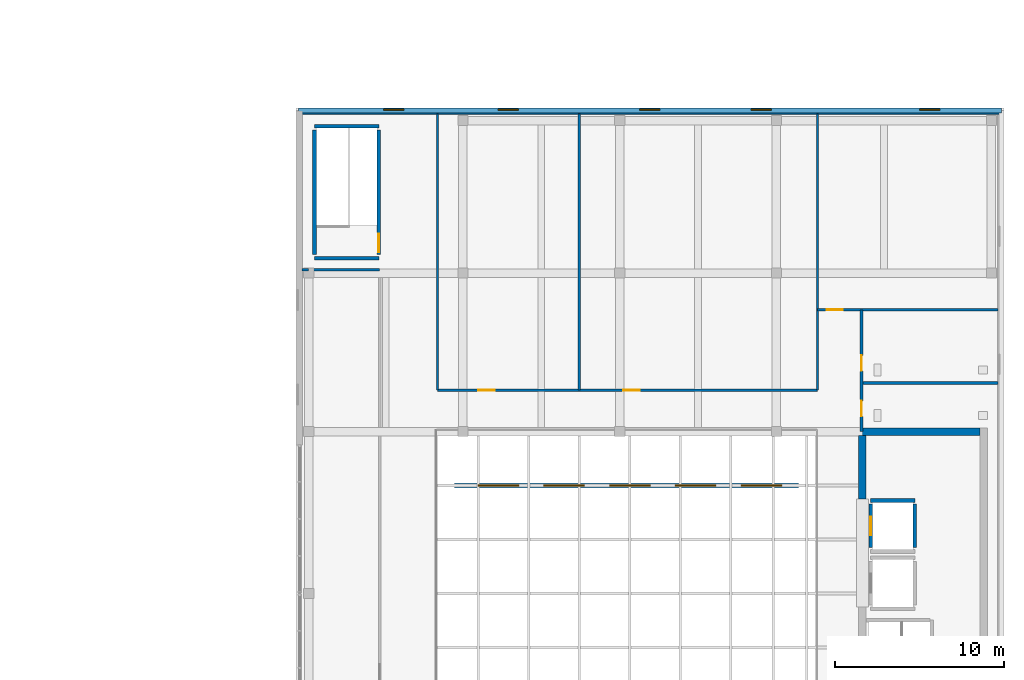
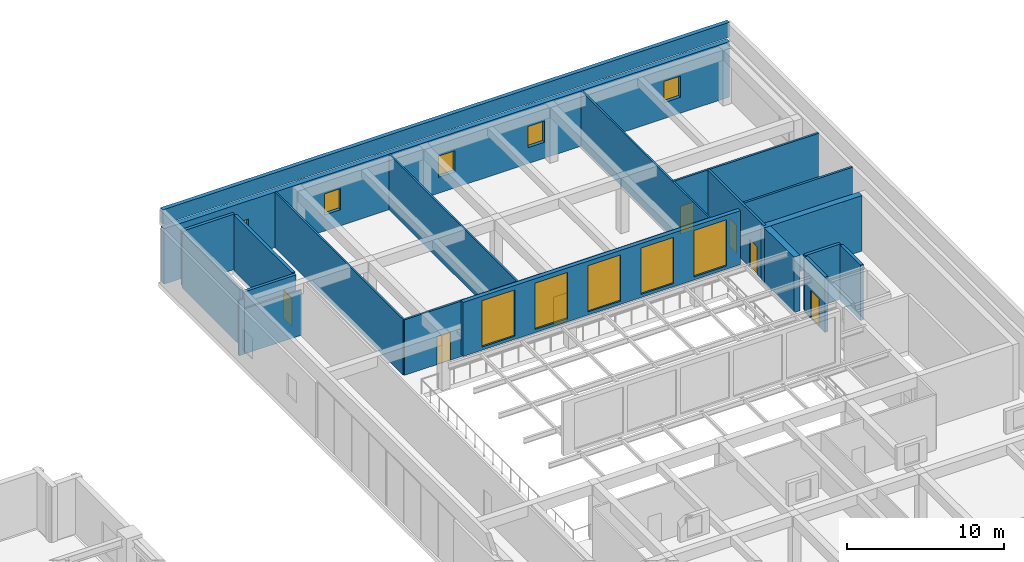
# One storey, part 11 of 21: 21 walls, 10 windows, 7 doors, 17 openings.
"""IFC4 building model written with IfcOpenShell, lengths in metres."""

from ifc_helpers import new_model, si_unit, direction, frame, frame_2d, origin, place, context, subcontext, project, spatial, rectangle, extrude, material, layer, layer_set, type_object, element, fill, save


model = new_model("IFC4")

# Units and contexts
model_context = context("Model", 3, precision=1e-05, world=origin(), true_north=direction((0.0, 1.0)))
body_context = subcontext(model_context, "Body", "Model", "MODEL_VIEW")
ifc_project = project(units=[si_unit("LENGTHUNIT", "METRE"), si_unit("AREAUNIT", "SQUARE_METRE"), si_unit("VOLUMEUNIT", "CUBIC_METRE"), si_unit("PLANEANGLEUNIT", "RADIAN"), si_unit("MASSUNIT", "GRAM", prefix="KILO")], contexts=[model_context])

# Site, building, storey
site_placement = place(None, origin())
site = spatial("IfcSite", under=ifc_project, at=site_placement, CompositionType="ELEMENT")
building_placement = place(site_placement, origin())
building = spatial("IfcBuilding", under=site, at=building_placement, Name="Norrvale University Quadrangle", CompositionType="ELEMENT")
storey_placement = place(building_placement, frame((0.0, 0.0, 19.60009765625)))
storey = spatial("IfcBuildingStorey", under=building, at=storey_placement, Name="L04", CompositionType="ELEMENT", Elevation=19.60009765625)

# Walls
ifc_material_1 = material(Name="Standard Academic Gypsum Partition")
ifc_layer_1 = layer(ifc_material_1, 0.125, Name="Standard Academic Gypsum Partition")
ifc_layer_set_1 = layer_set([ifc_layer_1], Name="Standard Academic Gypsum Partition")
wall_type_1 = type_object("IfcWallType", Name="Wall Gypsum Academic 125", PredefinedType="PARTITIONING", material=ifc_layer_set_1)
wall_1_placement = place(storey_placement, frame((85.550048828125, 48.0, 0.0), z_axis=(0.0, 0.0, 1.0), x_axis=(1.0, 0.0, 0.0)))
element("IfcWall", 1, at=wall_1_placement, inside=storey, type_object=wall_type_1, Name="Interior Partition WL-L04-LWN", PredefinedType="PARTITIONING", context=body_context, shape_type="SweptSolid", body=[
    extrude(rectangle(XDim=0.39990234375, YDim=0.125, at=frame_2d((0.199951171875, 0.0))), origin(), (0.0, 0.0, 1.0), 4.31982421875),
])
wall_2_placement = place(storey_placement, frame((85.949951171875, 48.0, 0.0), z_axis=(0.0, 0.0, 1.0), x_axis=(1.0, 0.0, 0.0)))
element("IfcWall", 2, at=wall_2_placement, inside=storey, type_object=wall_type_1, Name="Interior Partition WL-L04-LWN-B2", PredefinedType="PARTITIONING", context=body_context, shape_type="SweptSolid", body=[
    extrude(rectangle(XDim=4.199951171875, YDim=0.125, at=frame_2d((2.10009765625, 0.0))), origin(), (0.0, 0.0, 1.0), 3.52001953125),
])
for number, where, z_axis, x_axis, name in (
    (3, (93.60009765625, 40.860107421875, 0.0), (0.0, 0.0, 1.0), (0.0, 1.0, 0.0), "Interior Partition WL-L04-LSN-W"),
    (4, (102.0, 40.860107421875, 0.0), (0.0, 0.0, 1.0), (0.0, 1.0, 0.0), "Interior Partition WL-L04-LSN-M"),
    (5, (116.139892578125, 40.860107421875, 0.0), (0.0, 0.0, 1.0), (0.0, 1.0, 0.0), "Interior Partition WL-L04-LSN-E"),
):
    element("IfcWall", number, at=place(storey_placement, frame(where, z_axis=z_axis, x_axis=x_axis)), inside=storey, type_object=wall_type_1, Name=name, PredefinedType="PARTITIONING", context=body_context, shape_type="SweptSolid", body=[
        extrude(rectangle(XDim=16.389892578125, YDim=0.125, at=frame_2d((8.19482421875, 0.0))), origin(), (0.0, 0.0, 1.0), 4.31982421875),
    ])

# Wall, openings, doors
ifc_material_2 = material(Name="Fire-Rated Gypsum Stud Partition")
ifc_layer_2 = layer(ifc_material_2, 0.14990234375, Name="Fire-Rated Gypsum Stud Partition")
ifc_layer_set_2 = layer_set([ifc_layer_2], Name="Fire-Rated Gypsum Stud Partition")
wall_type_2 = type_object("IfcWallType", Name="Wall Gypsum Corridor 150", PredefinedType="PARTITIONING", material=ifc_layer_set_2)
wall_3_placement = place(storey_placement, frame((93.60009765625, 40.860107421875, 0.0), z_axis=(0.0, 0.0, 1.0), x_axis=(1.0, 0.0, 0.0)))
wall_3 = element("IfcWall", 6, at=wall_3_placement, inside=storey, type_object=wall_type_2, Name="Interior Partition WL-L04-LSN-S", PredefinedType="PARTITIONING", context=body_context, shape_type="SweptSolid", body=[
    extrude(rectangle(XDim=22.539794921875, YDim=0.14990234375, at=frame_2d((11.27001953125, 0.0))), origin(), (0.0, 0.0, 1.0), 4.31982421875),
])
opening_1_placement = place(wall_3_placement, frame((2.39990234375, 0.0, 0.0)))
opening_1 = element("IfcOpeningElement", 7, at=opening_1_placement, cuts=wall_3, Name="Opening D04", PredefinedType="OPENING", context=body_context, shape_type="SweptSolid", body=[
    extrude(rectangle(XDim=1.0, YDim=2.199951171875, at=frame_2d((0.5, 1.10009765625))), frame((0.0, 0.0869140625, 0.0), z_axis=(0.0, -1.0, 0.0), x_axis=(1.0, 0.0, 0.0)), (0.0, 0.0, 1.0), 0.173828125),
])
opening_2_placement = place(wall_3_placement, frame((11.0, 0.0, 0.0)))
opening_2 = element("IfcOpeningElement", 8, at=opening_2_placement, cuts=wall_3, Name="Opening D04", PredefinedType="OPENING", context=body_context, shape_type="SweptSolid", body=[
    extrude(rectangle(XDim=1.0, YDim=2.199951171875, at=frame_2d((0.5, 1.10009765625))), frame((0.0, 0.0869140625, 0.0), z_axis=(0.0, -1.0, 0.0), x_axis=(1.0, 0.0, 0.0)), (0.0, 0.0, 1.0), 0.173828125),
])
ifc_material_3 = material(Name="Solid-Core Oak Fire Door", Category="wood")
door_type_1 = type_object("IfcDoorType", Name="Door Corridor 1000x2200", OperationType="NOTDEFINED", PredefinedType="DOOR", material=ifc_material_3)
door_1_placement = place(opening_1_placement, origin())
door_1 = element("IfcDoor", 9, at=door_1_placement, inside=storey, type_object=door_type_1, Name="Door Corridor 1000x2200 DR-L04-LN1", OperationType="SINGLE_SWING_LEFT", OverallHeight=2.199951171875, OverallWidth=1.0, PredefinedType="DOOR", context=body_context, shape_type="SweptSolid", body=[
    extrude(rectangle(XDim=1.0, YDim=2.199951171875, at=frame_2d((0.5, 1.10009765625))), frame((0.0, 0.02490234375, 0.0), z_axis=(0.0, -1.0, 0.0), x_axis=(1.0, 0.0, 0.0)), (0.0, 0.0, 1.0), 0.050048828125),
])
fill(opening_1, door_1)
door_2_placement = place(opening_2_placement, origin())
door_2 = element("IfcDoor", 10, at=door_2_placement, inside=storey, type_object=door_type_1, Name="Door Corridor 1000x2200 DR-L04-LN2", OperationType="SINGLE_SWING_RIGHT", OverallHeight=2.199951171875, OverallWidth=1.0, PredefinedType="DOOR", context=body_context, shape_type="SweptSolid", body=[
    extrude(rectangle(XDim=1.0, YDim=2.199951171875, at=frame_2d((0.5, 1.10009765625))), frame((0.0, 0.02490234375, 0.0), z_axis=(0.0, -1.0, 0.0), x_axis=(1.0, 0.0, 0.0)), (0.0, 0.0, 1.0), 0.050048828125),
])
fill(opening_2, door_2)

# Wall, opening, door
wall_4_placement = place(storey_placement, frame((116.139892578125, 45.6201171875, 0.0), z_axis=(0.0, 0.0, 1.0), x_axis=(1.0, 0.0, 0.0)))
wall_4 = element("IfcWall", 11, at=wall_4_placement, inside=storey, type_object=wall_type_2, Name="Interior Partition WL-L04-LNS-S", PredefinedType="PARTITIONING", context=body_context, shape_type="SweptSolid", body=[
    extrude(rectangle(XDim=10.710205078125, YDim=0.14990234375, at=frame_2d((5.35498046875, 0.0))), origin(), (0.0, 0.0, 1.0), 4.31982421875),
])
opening_3_placement = place(wall_4_placement, frame((0.550048828125, 0.0, 0.0)))
opening_3 = element("IfcOpeningElement", 12, at=opening_3_placement, cuts=wall_4, Name="Opening D07", PredefinedType="OPENING", context=body_context, shape_type="SweptSolid", body=[
    extrude(rectangle(XDim=0.949951171875, YDim=2.14990234375, at=frame_2d((0.47509765625, 1.074951171875))), frame((0.0, 0.0869140625, 0.0), z_axis=(0.0, -1.0, 0.0), x_axis=(1.0, 0.0, 0.0)), (0.0, 0.0, 1.0), 0.173828125),
])
ifc_material_4 = material(Name="Solid-Core Maple Door", Category="wood")
door_type_2 = type_object("IfcDoorType", Name="Door Office 950x2150", OperationType="NOTDEFINED", PredefinedType="DOOR", material=ifc_material_4)
door_3_placement = place(opening_3_placement, origin())
door_3 = element("IfcDoor", 13, at=door_3_placement, inside=storey, type_object=door_type_2, Name="Door Office 950x2150 DR-L04-LNS", OperationType="SINGLE_SWING_LEFT", OverallHeight=2.14990234375, OverallWidth=0.949951171875, PredefinedType="DOOR", context=body_context, shape_type="SweptSolid", body=[
    extrude(rectangle(XDim=0.949951171875, YDim=2.14990234375, at=frame_2d((0.47509765625, 1.074951171875))), frame((0.0, 0.02490234375, 0.0), z_axis=(0.0, -1.0, 0.0), x_axis=(1.0, 0.0, 0.0)), (0.0, 0.0, 1.0), 0.050048828125),
])
fill(opening_3, door_3)

# Wall
ifc_material_5 = material(Name="Sanitary Chase Gypsum Partition")
ifc_layer_3 = layer(ifc_material_5, 0.1650390625, Name="Sanitary Chase Gypsum Partition")
ifc_layer_set_3 = layer_set([ifc_layer_3], Name="Sanitary Chase Gypsum Partition")
wall_type_3 = type_object("IfcWallType", Name="Wall Gypsum Sanitary 165", PredefinedType="PLUMBINGWALL", material=ifc_layer_set_3)
wall_5_placement = place(storey_placement, frame((118.75, 41.280029296875, 0.0), z_axis=(0.0, 0.0, 1.0), x_axis=(1.0, 0.0, 0.0)))
element("IfcWall", 14, at=wall_5_placement, inside=storey, type_object=wall_type_3, Name="Interior Partition WL-L04-LWC-M1", PredefinedType="PLUMBINGWALL", context=body_context, shape_type="SweptSolid", body=[
    extrude(rectangle(XDim=8.10009765625, YDim=0.1650390625, at=frame_2d((4.050048828125, 0.0))), origin(), (0.0, 0.0, 1.0), 4.31982421875),
])

# Wall, openings, doors
wall_6_placement = place(storey_placement, frame((118.75, 38.39990234375, 0.0), z_axis=(0.0, 0.0, 1.0), x_axis=(0.0, 1.0, 0.0)))
wall_6 = element("IfcWall", 15, at=wall_6_placement, inside=storey, type_object=wall_type_3, Name="Interior Partition WL-L04-LWC-W", PredefinedType="PLUMBINGWALL", context=body_context, shape_type="SweptSolid", body=[
    extrude(rectangle(XDim=7.22021484375, YDim=0.1650390625, at=frame_2d((3.610107421875, 0.0))), origin(), (0.0, 0.0, 1.0), 4.31982421875),
])
opening_4_placement = place(wall_6_placement, frame((0.89990234375, 0.0, 0.0)))
opening_4 = element("IfcOpeningElement", 16, at=opening_4_placement, cuts=wall_6, Name="Opening D08", PredefinedType="OPENING", context=body_context, shape_type="SweptSolid", body=[
    extrude(rectangle(XDim=0.919921875, YDim=2.14990234375, at=frame_2d((0.4599609375, 1.074951171875))), frame((0.0, 0.094482421875, 0.0), z_axis=(0.0, -1.0, 0.0), x_axis=(1.0, 0.0, 0.0)), (0.0, 0.0, 1.0), 0.18896484375),
])
opening_5_placement = place(wall_6_placement, frame((3.60009765625, 0.0, 0.0)))
opening_5 = element("IfcOpeningElement", 17, at=opening_5_placement, cuts=wall_6, Name="Opening D08", PredefinedType="OPENING", context=body_context, shape_type="SweptSolid", body=[
    extrude(rectangle(XDim=0.919921875, YDim=2.14990234375, at=frame_2d((0.4599609375, 1.074951171875))), frame((0.0, 0.094482421875, 0.0), z_axis=(0.0, -1.0, 0.0), x_axis=(1.0, 0.0, 0.0)), (0.0, 0.0, 1.0), 0.18896484375),
])
ifc_material_6 = material(Name="Laminate Washroom Door", Category="wood")
door_type_3 = type_object("IfcDoorType", Name="Door Washroom 920x2150", OperationType="NOTDEFINED", PredefinedType="DOOR", material=ifc_material_6)
door_4_placement = place(opening_4_placement, origin())
door_4 = element("IfcDoor", 18, at=door_4_placement, inside=storey, type_object=door_type_3, Name="Door Washroom 920x2150 DR-L04-LWC1", OperationType="SINGLE_SWING_LEFT", OverallHeight=2.14990234375, OverallWidth=0.919921875, PredefinedType="DOOR", context=body_context, shape_type="SweptSolid", body=[
    extrude(rectangle(XDim=0.919921875, YDim=2.14990234375, at=frame_2d((0.4599609375, 1.074951171875))), frame((0.0, 0.02490234375, 0.0), z_axis=(0.0, -1.0, 0.0), x_axis=(1.0, 0.0, 0.0)), (0.0, 0.0, 1.0), 0.050048828125),
])
fill(opening_4, door_4)
door_5_placement = place(opening_5_placement, origin())
door_5 = element("IfcDoor", 19, at=door_5_placement, inside=storey, type_object=door_type_3, Name="Door Washroom 920x2150 DR-L04-LWC2", OperationType="SINGLE_SWING_RIGHT", OverallHeight=2.14990234375, OverallWidth=0.919921875, PredefinedType="DOOR", context=body_context, shape_type="SweptSolid", body=[
    extrude(rectangle(XDim=0.919921875, YDim=2.14990234375, at=frame_2d((0.4599609375, 1.074951171875))), frame((0.0, 0.02490234375, 0.0), z_axis=(0.0, -1.0, 0.0), x_axis=(1.0, 0.0, 0.0)), (0.0, 0.0, 1.0), 0.050048828125),
])
fill(opening_5, door_5)

# Wall, openings, windows
ifc_material_7 = material(Name="Buff Norman Clay Brick Masonry", Category="masonry")
ifc_layer_4 = layer(ifc_material_7, 0.3798828125, Name="Buff Norman Clay Brick Masonry")
ifc_layer_set_4 = layer_set([ifc_layer_4], Name="Buff Norman Clay Brick Masonry")
wall_type_4 = type_object("IfcWallType", Name="Wall Lib Brick 380", PredefinedType="SOLIDWALL", material=ifc_layer_set_4)
wall_7_placement = place(storey_placement, frame((85.389892578125, 57.409912109375, 0.0), z_axis=(0.0, 0.0, 1.0), x_axis=(1.0, 0.0, 0.0)))
wall_7 = element("IfcWall", 20, at=wall_7_placement, inside=storey, type_object=wall_type_4, Name="Central Library North Brick Facade L04", PredefinedType="SOLIDWALL", context=body_context, shape_type="SweptSolid", body=[
    extrude(rectangle(XDim=41.6201171875, YDim=0.3798828125, at=frame_2d((20.81005859375, 0.0))), origin(), (0.0, 0.0, 1.0), 4.31982421875),
])
opening_6_placement = place(wall_7_placement, frame((5.0, 0.0, 1.25)))
opening_6 = element("IfcOpeningElement", 21, at=opening_6_placement, cuts=wall_7, Name="Opening W07", PredefinedType="OPENING", context=body_context, shape_type="SweptSolid", body=[
    extrude(rectangle(XDim=1.199951171875, YDim=1.64990234375, at=frame_2d((0.60009765625, 0.824951171875))), frame((0.0, 0.201904296875, 0.0), z_axis=(0.0, -1.0, 0.0), x_axis=(1.0, 0.0, 0.0)), (0.0, 0.0, 1.0), 0.40380859375),
])
opening_7_placement = place(wall_7_placement, frame((11.800048828125, 0.0, 1.25)))
opening_7 = element("IfcOpeningElement", 22, at=opening_7_placement, cuts=wall_7, Name="Opening W07", PredefinedType="OPENING", context=body_context, shape_type="SweptSolid", body=[
    extrude(rectangle(XDim=1.199951171875, YDim=1.64990234375, at=frame_2d((0.60009765625, 0.824951171875))), frame((0.0, 0.201904296875, 0.0), z_axis=(0.0, -1.0, 0.0), x_axis=(1.0, 0.0, 0.0)), (0.0, 0.0, 1.0), 0.40380859375),
])
opening_8_placement = place(wall_7_placement, frame((20.199951171875, 0.0, 1.25)))
opening_8 = element("IfcOpeningElement", 23, at=opening_8_placement, cuts=wall_7, Name="Opening W07", PredefinedType="OPENING", context=body_context, shape_type="SweptSolid", body=[
    extrude(rectangle(XDim=1.199951171875, YDim=1.64990234375, at=frame_2d((0.60009765625, 0.824951171875))), frame((0.0, 0.201904296875, 0.0), z_axis=(0.0, -1.0, 0.0), x_axis=(1.0, 0.0, 0.0)), (0.0, 0.0, 1.0), 0.40380859375),
])
opening_9_placement = place(wall_7_placement, frame((26.800048828125, 0.0, 1.25)))
opening_9 = element("IfcOpeningElement", 24, at=opening_9_placement, cuts=wall_7, Name="Opening W07", PredefinedType="OPENING", context=body_context, shape_type="SweptSolid", body=[
    extrude(rectangle(XDim=1.199951171875, YDim=1.64990234375, at=frame_2d((0.60009765625, 0.824951171875))), frame((0.0, 0.201904296875, 0.0), z_axis=(0.0, -1.0, 0.0), x_axis=(1.0, 0.0, 0.0)), (0.0, 0.0, 1.0), 0.40380859375),
])
opening_10_placement = place(wall_7_placement, frame((36.800048828125, 0.0, 1.25)))
opening_10 = element("IfcOpeningElement", 25, at=opening_10_placement, cuts=wall_7, Name="Opening W07", PredefinedType="OPENING", context=body_context, shape_type="SweptSolid", body=[
    extrude(rectangle(XDim=1.199951171875, YDim=1.64990234375, at=frame_2d((0.60009765625, 0.824951171875))), frame((0.0, 0.201904296875, 0.0), z_axis=(0.0, -1.0, 0.0), x_axis=(1.0, 0.0, 0.0)), (0.0, 0.0, 1.0), 0.40380859375),
])
ifc_material_8 = material(Name="UV-Filtered Triple Glazing", Category="glass")
window_type_1 = type_object("IfcWindowType", Name="Window Library Stack 1200x1800", PartitioningType="SINGLE_PANEL", PredefinedType="WINDOW", material=ifc_material_8)
window_1_placement = place(opening_6_placement, origin())
window_1 = element("IfcWindow", 26, at=window_1_placement, inside=storey, type_object=window_type_1, Name="Window Library Stack 1200x1800 WIN-L04-LN-01", OverallHeight=1.64990234375, OverallWidth=1.199951171875, PartitioningType="SINGLE_PANEL", PredefinedType="WINDOW", context=body_context, shape_type="SweptSolid", body=[
    extrude(rectangle(XDim=1.199951171875, YDim=1.64990234375, at=frame_2d((0.60009765625, 0.824951171875))), frame((0.0, 0.110107421875, 0.0), z_axis=(0.0, -1.0, 0.0), x_axis=(1.0, 0.0, 0.0)), (0.0, 0.0, 1.0), 0.06005859375),
])
fill(opening_6, window_1)
window_2_placement = place(opening_7_placement, origin())
window_2 = element("IfcWindow", 27, at=window_2_placement, inside=storey, type_object=window_type_1, Name="Window Library Stack 1200x1800 WIN-L04-LN-02", OverallHeight=1.64990234375, OverallWidth=1.199951171875, PartitioningType="SINGLE_PANEL", PredefinedType="WINDOW", context=body_context, shape_type="SweptSolid", body=[
    extrude(rectangle(XDim=1.199951171875, YDim=1.64990234375, at=frame_2d((0.60009765625, 0.824951171875))), frame((0.0, 0.110107421875, 0.0), z_axis=(0.0, -1.0, 0.0), x_axis=(1.0, 0.0, 0.0)), (0.0, 0.0, 1.0), 0.06005859375),
])
fill(opening_7, window_2)
window_3_placement = place(opening_8_placement, origin())
window_3 = element("IfcWindow", 28, at=window_3_placement, inside=storey, type_object=window_type_1, Name="Window Library Stack 1200x1800 WIN-L04-LN-03", OverallHeight=1.64990234375, OverallWidth=1.199951171875, PartitioningType="SINGLE_PANEL", PredefinedType="WINDOW", context=body_context, shape_type="SweptSolid", body=[
    extrude(rectangle(XDim=1.199951171875, YDim=1.64990234375, at=frame_2d((0.60009765625, 0.824951171875))), frame((0.0, 0.110107421875, 0.0), z_axis=(0.0, -1.0, 0.0), x_axis=(1.0, 0.0, 0.0)), (0.0, 0.0, 1.0), 0.06005859375),
])
fill(opening_8, window_3)
window_4_placement = place(opening_9_placement, origin())
window_4 = element("IfcWindow", 29, at=window_4_placement, inside=storey, type_object=window_type_1, Name="Window Library Stack 1200x1800 WIN-L04-LN-04", OverallHeight=1.64990234375, OverallWidth=1.199951171875, PartitioningType="SINGLE_PANEL", PredefinedType="WINDOW", context=body_context, shape_type="SweptSolid", body=[
    extrude(rectangle(XDim=1.199951171875, YDim=1.64990234375, at=frame_2d((0.60009765625, 0.824951171875))), frame((0.0, 0.110107421875, 0.0), z_axis=(0.0, -1.0, 0.0), x_axis=(1.0, 0.0, 0.0)), (0.0, 0.0, 1.0), 0.06005859375),
])
fill(opening_9, window_4)
window_5_placement = place(opening_10_placement, origin())
window_5 = element("IfcWindow", 30, at=window_5_placement, inside=storey, type_object=window_type_1, Name="Window Library Stack 1200x1800 WIN-L04-LN-05", OverallHeight=1.64990234375, OverallWidth=1.199951171875, PartitioningType="SINGLE_PANEL", PredefinedType="WINDOW", context=body_context, shape_type="SweptSolid", body=[
    extrude(rectangle(XDim=1.199951171875, YDim=1.64990234375, at=frame_2d((0.60009765625, 0.824951171875))), frame((0.0, 0.110107421875, 0.0), z_axis=(0.0, -1.0, 0.0), x_axis=(1.0, 0.0, 0.0)), (0.0, 0.0, 1.0), 0.06005859375),
])
fill(opening_10, window_5)

# Walls
ifc_material_9 = material(Name="Concrete C60/75", Category="concrete")
ifc_layer_5 = layer(ifc_material_9, 0.449951171875, Name="Concrete C60/75")
ifc_layer_set_5 = layer_set([ifc_layer_5], Name="Concrete C60/75")
wall_type_5 = type_object("IfcWallType", Name="Wall Lib Core 450", PredefinedType="SHEAR", material=ifc_layer_set_5)
wall_8_placement = place(storey_placement, frame((118.574951171875, 38.39990234375, 0.0), z_axis=(0.0, 0.0, 1.0), x_axis=(1.0, 0.0, 0.0)))
element("IfcWall", 31, at=wall_8_placement, inside=storey, type_object=wall_type_5, Name="Library Core Shear Wall L04-N", PredefinedType="SHEAR", context=body_context, shape_type="SweptSolid", body=[
    extrude(rectangle(XDim=7.199951171875, YDim=0.449951171875, at=frame_2d((3.60009765625, 0.0))), origin(), (0.0, 0.0, 1.0), 4.31982421875),
])
wall_9_placement = place(storey_placement, frame((118.800048828125, 34.39990234375, 0.0), z_axis=(0.0, 0.0, 1.0), x_axis=(0.0, 1.0, 0.0)))
element("IfcWall", 32, at=wall_9_placement, inside=storey, type_object=wall_type_5, Name="Library Core Shear Wall L04-W2", PredefinedType="SHEAR", context=body_context, shape_type="SweptSolid", body=[
    extrude(rectangle(XDim=3.775146484375, YDim=0.449951171875, at=frame_2d((1.8876953125, 0.0))), origin(), (0.0, 0.0, 1.0), 4.31982421875),
])
ifc_layer_6 = layer(ifc_material_7, 0.300048828125, Name="Buff Norman Clay Brick Masonry")
ifc_layer_set_6 = layer_set([ifc_layer_6], Name="Buff Norman Clay Brick Masonry")
wall_type_6 = type_object("IfcWallType", Name="Wall Parapet 300", PredefinedType="PARAPET", material=ifc_layer_set_6)
wall_10_placement = place(storey_placement, frame((127.050048828125, 57.449951171875, 4.599853515625), z_axis=(0.0, 0.0, 1.0), x_axis=(-1.0, 0.0, 0.0)))
element("IfcWall", 33, at=wall_10_placement, inside=storey, type_object=wall_type_6, Name="Library Roof Parapet N", PredefinedType="PARAPET", context=body_context, shape_type="SweptSolid", body=[
    extrude(rectangle(XDim=41.699951171875, YDim=0.300048828125, at=frame_2d((20.85009765625, 0.0))), origin(), (0.0, 0.0, 1.0), 1.150146484375),
])

# Wall, openings, windows
wall_11_placement = place(storey_placement, frame((94.60009765625, 35.199951171875, 4.599853515625), z_axis=(0.0, 0.0, 1.0), x_axis=(1.0, 0.0, 0.0)))
wall_11 = element("IfcWall", 34, at=wall_11_placement, inside=storey, type_object=wall_type_6, Name="Library Atrium Skylight Curb North", PredefinedType="PARAPET", context=body_context, shape_type="SweptSolid", body=[
    extrude(rectangle(XDim=20.39990234375, YDim=0.300048828125, at=frame_2d((10.199951171875, 0.0))), origin(), (0.0, 0.0, 1.0), 4.199951171875),
])
opening_11_placement = place(wall_11_placement, frame((1.39990234375, 0.0, 0.25)))
opening_11 = element("IfcOpeningElement", 35, at=opening_11_placement, cuts=wall_11, Name="Opening SK2", PredefinedType="OPENING", context=body_context, shape_type="SweptSolid", body=[
    extrude(rectangle(XDim=2.39990234375, YDim=3.60009765625, at=frame_2d((1.199951171875, 1.800048828125))), frame((0.0, 0.162109375, 0.0), z_axis=(0.0, -1.0, 0.0), x_axis=(1.0, 0.0, 0.0)), (0.0, 0.0, 1.0), 0.323974609375),
])
opening_12_placement = place(wall_11_placement, frame((5.300048828125, 0.0, 0.25)))
opening_12 = element("IfcOpeningElement", 36, at=opening_12_placement, cuts=wall_11, Name="Opening SK2", PredefinedType="OPENING", context=body_context, shape_type="SweptSolid", body=[
    extrude(rectangle(XDim=2.39990234375, YDim=3.60009765625, at=frame_2d((1.199951171875, 1.800048828125))), frame((0.0, 0.162109375, 0.0), z_axis=(0.0, -1.0, 0.0), x_axis=(1.0, 0.0, 0.0)), (0.0, 0.0, 1.0), 0.323974609375),
])
opening_13_placement = place(wall_11_placement, frame((9.199951171875, 0.0, 0.25)))
opening_13 = element("IfcOpeningElement", 37, at=opening_13_placement, cuts=wall_11, Name="Opening SK2", PredefinedType="OPENING", context=body_context, shape_type="SweptSolid", body=[
    extrude(rectangle(XDim=2.39990234375, YDim=3.60009765625, at=frame_2d((1.199951171875, 1.800048828125))), frame((0.0, 0.162109375, 0.0), z_axis=(0.0, -1.0, 0.0), x_axis=(1.0, 0.0, 0.0)), (0.0, 0.0, 1.0), 0.323974609375),
])
opening_14_placement = place(wall_11_placement, frame((13.10009765625, 0.0, 0.25)))
opening_14 = element("IfcOpeningElement", 38, at=opening_14_placement, cuts=wall_11, Name="Opening SK2", PredefinedType="OPENING", context=body_context, shape_type="SweptSolid", body=[
    extrude(rectangle(XDim=2.39990234375, YDim=3.60009765625, at=frame_2d((1.199951171875, 1.800048828125))), frame((0.0, 0.162109375, 0.0), z_axis=(0.0, -1.0, 0.0), x_axis=(1.0, 0.0, 0.0)), (0.0, 0.0, 1.0), 0.323974609375),
])
opening_15_placement = place(wall_11_placement, frame((17.0, 0.0, 0.25)))
opening_15 = element("IfcOpeningElement", 39, at=opening_15_placement, cuts=wall_11, Name="Opening SK2", PredefinedType="OPENING", context=body_context, shape_type="SweptSolid", body=[
    extrude(rectangle(XDim=2.39990234375, YDim=3.60009765625, at=frame_2d((1.199951171875, 1.800048828125))), frame((0.0, 0.162109375, 0.0), z_axis=(0.0, -1.0, 0.0), x_axis=(1.0, 0.0, 0.0)), (0.0, 0.0, 1.0), 0.323974609375),
])
ifc_material_10 = material(Name="Laminated Structural Skylight Glazing", Category="glass")
window_type_2 = type_object("IfcWindowType", Name="Window Skylight 2400x3600", PartitioningType="SINGLE_PANEL", PredefinedType="SKYLIGHT", material=ifc_material_10)
window_6_placement = place(opening_11_placement, origin())
window_6 = element("IfcWindow", 40, at=window_6_placement, inside=storey, type_object=window_type_2, Name="Window Skylight 2400x3600 SKL-L04-N1", OverallHeight=3.60009765625, OverallWidth=2.39990234375, PartitioningType="SINGLE_PANEL", PredefinedType="SKYLIGHT", context=body_context, shape_type="SweptSolid", body=[
    extrude(rectangle(XDim=2.39990234375, YDim=3.60009765625, at=frame_2d((1.199951171875, 1.800048828125))), frame((0.0, 0.030029296875, 0.0), z_axis=(0.0, -1.0, 0.0), x_axis=(1.0, 0.0, 0.0)), (0.0, 0.0, 1.0), 0.06005859375),
])
fill(opening_11, window_6)
window_7_placement = place(opening_12_placement, origin())
window_7 = element("IfcWindow", 41, at=window_7_placement, inside=storey, type_object=window_type_2, Name="Window Skylight 2400x3600 SKL-L04-N2", OverallHeight=3.60009765625, OverallWidth=2.39990234375, PartitioningType="SINGLE_PANEL", PredefinedType="SKYLIGHT", context=body_context, shape_type="SweptSolid", body=[
    extrude(rectangle(XDim=2.39990234375, YDim=3.60009765625, at=frame_2d((1.199951171875, 1.800048828125))), frame((0.0, 0.030029296875, 0.0), z_axis=(0.0, -1.0, 0.0), x_axis=(1.0, 0.0, 0.0)), (0.0, 0.0, 1.0), 0.06005859375),
])
fill(opening_12, window_7)
window_8_placement = place(opening_13_placement, origin())
window_8 = element("IfcWindow", 42, at=window_8_placement, inside=storey, type_object=window_type_2, Name="Window Skylight 2400x3600 SKL-L04-N3", OverallHeight=3.60009765625, OverallWidth=2.39990234375, PartitioningType="SINGLE_PANEL", PredefinedType="SKYLIGHT", context=body_context, shape_type="SweptSolid", body=[
    extrude(rectangle(XDim=2.39990234375, YDim=3.60009765625, at=frame_2d((1.199951171875, 1.800048828125))), frame((0.0, 0.030029296875, 0.0), z_axis=(0.0, -1.0, 0.0), x_axis=(1.0, 0.0, 0.0)), (0.0, 0.0, 1.0), 0.06005859375),
])
fill(opening_13, window_8)
window_9_placement = place(opening_14_placement, origin())
window_9 = element("IfcWindow", 43, at=window_9_placement, inside=storey, type_object=window_type_2, Name="Window Skylight 2400x3600 SKL-L04-N4", OverallHeight=3.60009765625, OverallWidth=2.39990234375, PartitioningType="SINGLE_PANEL", PredefinedType="SKYLIGHT", context=body_context, shape_type="SweptSolid", body=[
    extrude(rectangle(XDim=2.39990234375, YDim=3.60009765625, at=frame_2d((1.199951171875, 1.800048828125))), frame((0.0, 0.030029296875, 0.0), z_axis=(0.0, -1.0, 0.0), x_axis=(1.0, 0.0, 0.0)), (0.0, 0.0, 1.0), 0.06005859375),
])
fill(opening_14, window_9)
window_10_placement = place(opening_15_placement, origin())
window_10 = element("IfcWindow", 44, at=window_10_placement, inside=storey, type_object=window_type_2, Name="Window Skylight 2400x3600 SKL-L04-N5", OverallHeight=3.60009765625, OverallWidth=2.39990234375, PartitioningType="SINGLE_PANEL", PredefinedType="SKYLIGHT", context=body_context, shape_type="SweptSolid", body=[
    extrude(rectangle(XDim=2.39990234375, YDim=3.60009765625, at=frame_2d((1.199951171875, 1.800048828125))), frame((0.0, 0.030029296875, 0.0), z_axis=(0.0, -1.0, 0.0), x_axis=(1.0, 0.0, 0.0)), (0.0, 0.0, 1.0), 0.06005859375),
])
fill(opening_15, window_10)

# Walls
ifc_material_11 = material(Name="Concrete Blockwork 20 MPa Fire Shaft", Category="masonry")
ifc_layer_7 = layer(ifc_material_11, 0.219970703125, Name="Concrete Blockwork 20 MPa Fire Shaft")
ifc_layer_set_7 = layer_set([ifc_layer_7], Name="Concrete Blockwork 20 MPa Fire Shaft")
wall_type_7 = type_object("IfcWallType", Name="Wall Shaft 220", PredefinedType="SOLIDWALL", material=ifc_layer_set_7)
wall_12_placement = place(storey_placement, frame((86.2900390625, 48.909912109375, 0.0), z_axis=(0.0, 0.0, 1.0), x_axis=(0.0, 1.0, 0.0)))
element("IfcWall", 45, at=wall_12_placement, inside=storey, type_object=wall_type_7, Name="Library Stair ST-L3 West Wall L04", PredefinedType="SOLIDWALL", context=body_context, shape_type="SweptSolid", body=[
    extrude(rectangle(XDim=7.380126953125, YDim=0.219970703125, at=frame_2d((3.68994140625, 0.0))), origin(), (0.0, 0.0, 1.0), 4.31982421875),
])
for number, where, z_axis, x_axis, name in (
    (46, (86.2900390625, 48.68994140625, 0.0), (0.0, 0.0, 1.0), (1.0, 0.0, 0.0), "Library Stair ST-L3 South Wall L04"),
    (47, (86.2900390625, 56.510009765625, 0.0), (0.0, 0.0, 1.0), (1.0, 0.0, 0.0), "Library Stair ST-L3 North Wall L04"),
):
    element("IfcWall", number, at=place(storey_placement, frame(where, z_axis=z_axis, x_axis=x_axis)), inside=storey, type_object=wall_type_7, Name=name, PredefinedType="SOLIDWALL", context=body_context, shape_type="SweptSolid", body=[
        extrude(rectangle(XDim=3.820068359375, YDim=0.219970703125, at=frame_2d((1.91015625, 0.0))), origin(), (0.0, 0.0, 1.0), 4.31982421875),
    ])

# Wall, opening, door
wall_13_placement = place(storey_placement, frame((90.110107421875, 48.909912109375, 0.0), z_axis=(0.0, 0.0, 1.0), x_axis=(0.0, 1.0, 0.0)))
wall_13 = element("IfcWall", 48, at=wall_13_placement, inside=storey, type_object=wall_type_7, Name="Library Stair ST-L3 East Wall L04", PredefinedType="SOLIDWALL", context=body_context, shape_type="SweptSolid", body=[
    extrude(rectangle(XDim=7.380126953125, YDim=0.219970703125, at=frame_2d((3.68994140625, 0.0))), origin(), (0.0, 0.0, 1.0), 4.31982421875),
])
opening_16_placement = place(wall_13_placement, frame((0.139892578125, 0.0, 0.0)))
opening_16 = element("IfcOpeningElement", 49, at=opening_16_placement, cuts=wall_13, Name="Opening D02", PredefinedType="OPENING", context=body_context, shape_type="SweptSolid", body=[
    extrude(rectangle(XDim=1.10009765625, YDim=2.199951171875, at=frame_2d((0.550048828125, 1.10009765625))), frame((0.0, 0.1220703125, 0.0), z_axis=(0.0, -1.0, 0.0), x_axis=(1.0, 0.0, 0.0)), (0.0, 0.0, 1.0), 0.243896484375),
])
ifc_material_12 = material(Name="Hollow Steel 350W Fire Door", Category="steel")
door_type_4 = type_object("IfcDoorType", Name="Door Stair Exit 1100x2200", OperationType="NOTDEFINED", PredefinedType="DOOR", material=ifc_material_12)
door_6_placement = place(opening_16_placement, origin())
door_6 = element("IfcDoor", 50, at=door_6_placement, inside=storey, type_object=door_type_4, Name="Door Stair Exit 1100x2200 DR-L04-ST-L3", OperationType="SINGLE_SWING_RIGHT", OverallHeight=2.199951171875, OverallWidth=1.10009765625, PredefinedType="DOOR", context=body_context, shape_type="SweptSolid", body=[
    extrude(rectangle(XDim=1.10009765625, YDim=2.199951171875, at=frame_2d((0.550048828125, 1.10009765625))), frame((0.0, 0.02490234375, 0.0), z_axis=(0.0, -1.0, 0.0), x_axis=(1.0, 0.0, 0.0)), (0.0, 0.0, 1.0), 0.050048828125),
])
fill(opening_16, door_6)

wall_14_placement = place(storey_placement, frame((119.2900390625, 31.510009765625, 0.0), z_axis=(0.0, 0.0, 1.0), x_axis=(0.0, 1.0, 0.0)))
wall_14 = element("IfcWall", 51, at=wall_14_placement, inside=storey, type_object=wall_type_7, Name="Hoistway LL-02 West Wall L04", PredefinedType="SOLIDWALL", context=body_context, shape_type="SweptSolid", body=[
    extrude(rectangle(XDim=2.580078125, YDim=0.219970703125, at=frame_2d((1.2900390625, 0.0))), origin(), (0.0, 0.0, 1.0), 4.31982421875),
])
opening_17_placement = place(wall_14_placement, frame((0.739990234375, 0.0, 0.0)))
opening_17 = element("IfcOpeningElement", 52, at=opening_17_placement, cuts=wall_14, Name="Opening LD1", PredefinedType="OPENING", context=body_context, shape_type="SweptSolid", body=[
    extrude(rectangle(XDim=1.10009765625, YDim=2.199951171875, at=frame_2d((0.550048828125, 1.10009765625))), frame((0.0, 0.1220703125, 0.0), z_axis=(0.0, -1.0, 0.0), x_axis=(1.0, 0.0, 0.0)), (0.0, 0.0, 1.0), 0.243896484375),
])
ifc_material_13 = material(Name="Stainless Steel 316L Lift Landing Door", Category="steel")
door_type_5 = type_object("IfcDoorType", Name="Door Lift Landing 1100x2200", OperationType="DOUBLE_DOOR_SLIDING", PredefinedType="DOOR", material=ifc_material_13)
door_7_placement = place(opening_17_placement, origin())
door_7 = element("IfcDoor", 53, at=door_7_placement, inside=storey, type_object=door_type_5, Name="Elevator Landing Door DR-L04-LL-02", OperationType="DOUBLE_DOOR_SLIDING", OverallHeight=2.199951171875, OverallWidth=1.10009765625, PredefinedType="DOOR", context=body_context, shape_type="SweptSolid", body=[
    extrude(rectangle(XDim=1.10009765625, YDim=2.199951171875, at=frame_2d((0.550048828125, 1.10009765625))), frame((0.0, 0.02490234375, 0.0), z_axis=(0.0, -1.0, 0.0), x_axis=(1.0, 0.0, 0.0)), (0.0, 0.0, 1.0), 0.050048828125),
])
fill(opening_17, door_7)

# Walls
wall_15_placement = place(storey_placement, frame((121.909912109375, 31.510009765625, 0.0), z_axis=(0.0, 0.0, 1.0), x_axis=(0.0, 1.0, 0.0)))
element("IfcWall", 54, at=wall_15_placement, inside=storey, type_object=wall_type_7, Name="Hoistway LL-02 East Wall L04", PredefinedType="SOLIDWALL", context=body_context, shape_type="SweptSolid", body=[
    extrude(rectangle(XDim=2.580078125, YDim=0.219970703125, at=frame_2d((1.2900390625, 0.0))), origin(), (0.0, 0.0, 1.0), 4.31982421875),
])
wall_16_placement = place(storey_placement, frame((119.2900390625, 34.31005859375, 0.0), z_axis=(0.0, 0.0, 1.0), x_axis=(1.0, 0.0, 0.0)))
element("IfcWall", 55, at=wall_16_placement, inside=storey, type_object=wall_type_7, Name="Hoistway LL-02 North Wall L04", PredefinedType="SOLIDWALL", context=body_context, shape_type="SweptSolid", body=[
    extrude(rectangle(XDim=2.619873046875, YDim=0.219970703125, at=frame_2d((1.31005859375, 0.0))), origin(), (0.0, 0.0, 1.0), 4.31982421875),
])

save(model, "model.ifc")
